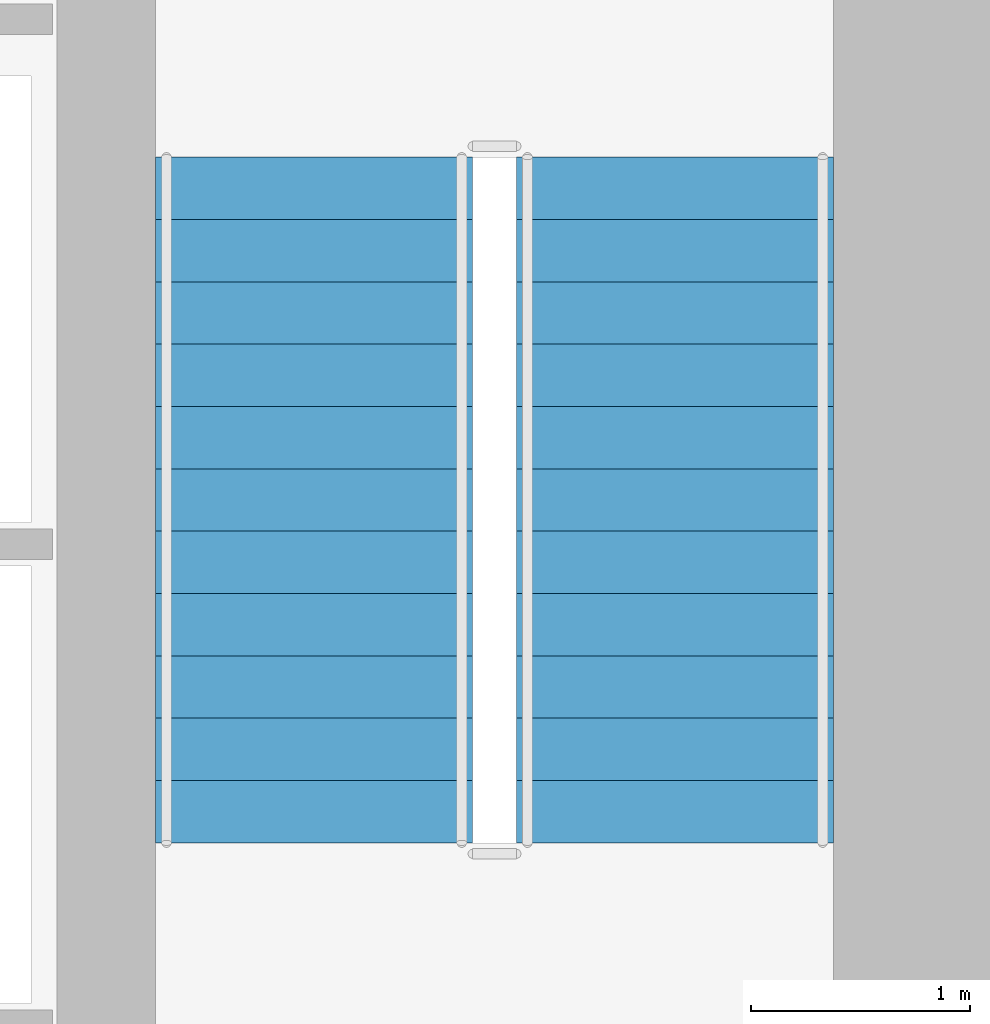
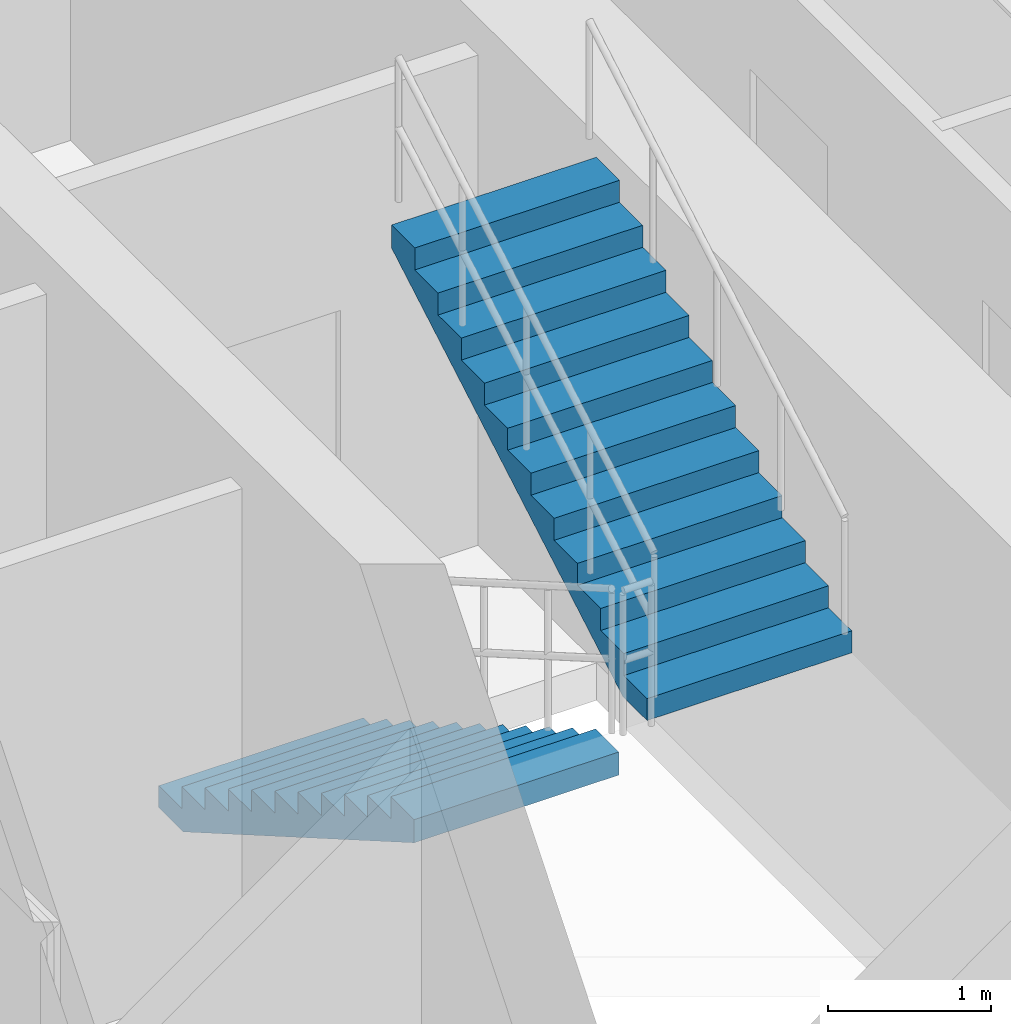
# One storey, part 28 of 30: 2 stair flights, 1 element without a shape of its own.
"""IFC4 building model written with IfcOpenShell, lengths in metres."""

from ifc_helpers import new_model, si_unit, direction, frame, origin, place, context, subcontext, project, spatial, polyline, outline, extrude, material, type_object, element, aggregate, save


model = new_model("IFC4")

# Units and contexts
model_context = context("Model", 3, precision=1e-05, world=origin(), true_north=direction((0.0, 1.0)))
body_context = subcontext(model_context, "Body", "Model", "MODEL_VIEW")
ifc_project = project(units=[si_unit("LENGTHUNIT", "METRE"), si_unit("AREAUNIT", "SQUARE_METRE"), si_unit("VOLUMEUNIT", "CUBIC_METRE"), si_unit("PLANEANGLEUNIT", "RADIAN"), si_unit("MASSUNIT", "GRAM", prefix="KILO")], contexts=[model_context])

# Site, building, storey
site_placement = place(None, origin())
site = spatial("IfcSite", under=ifc_project, at=site_placement, CompositionType="ELEMENT")
building_placement = place(site_placement, origin())
building = spatial("IfcBuilding", under=site, at=building_placement, Name="Krantzveldt Concourse Tower", CompositionType="ELEMENT")
storey_placement = place(building_placement, frame((0.0, 0.0, 52.64990234375)))
storey = spatial("IfcBuildingStorey", under=building, at=storey_placement, Name="L12", CompositionType="ELEMENT", Elevation=52.64990234375)

# Stair, stair flights
ifc_material = material(Name="Precast concrete C40/50", Category="concrete")
stair_type = type_object("IfcStairType", Name="STR-CORE-DOGLEG", PredefinedType="HALF_TURN_STAIR", material=ifc_material)
stair_placement = place(storey_placement, origin())
stair = element("IfcStair", 1, at=stair_placement, inside=storey, type_object=stair_type, Name="L12 Protected Escape Stair ST-2", PredefinedType="HALF_TURN_STAIR")
stair_flight_type = type_object("IfcStairFlightType", Name="STF-CORE-1450", PredefinedType="STRAIGHT", material=ifc_material)
stair_flight_1_placement = place(storey_placement, frame((40.7451171875, 19.550048828125, 0.0), z_axis=(0.0, 0.0, 1.0), x_axis=(0.0, -1.0, 0.0)))
stair_flight_1 = element("IfcStairFlight", 2, at=stair_flight_1_placement, type_object=stair_flight_type, Name="ST-2 flight 1", NumberOfRisers=12, NumberOfTreads=11, PredefinedType="STRAIGHT", RiserHeight=0.164583333, TreadLength=0.285, context=body_context, shape_type="SweptSolid", body=[
    extrude(outline(polyline([(0.0, 0.0), (0.0, 0.16455078125), (0.284912109375, 0.16455078125), (0.284912109375, 0.3291015625), (0.570068359375, 0.3291015625), (0.570068359375, 0.49365234375), (0.85498046875, 0.49365234375), (0.85498046875, 0.658447265625), (1.139892578125, 0.658447265625), (1.139892578125, 0.822998046875), (1.425048828125, 0.822998046875), (1.425048828125, 0.987548828125), (1.7099609375, 0.987548828125), (1.7099609375, 1.152099609375), (1.9951171875, 1.152099609375), (1.9951171875, 1.316650390625), (2.280029296875, 1.316650390625), (2.280029296875, 1.481201171875), (2.56494140625, 1.481201171875), (2.56494140625, 1.645751953125), (2.85009765625, 1.645751953125), (2.85009765625, 1.810302734375), (3.135009765625, 1.810302734375), (3.135009765625, 1.97509765625), (3.135009765625, 1.63720703125), (0.2998046875, 0.0), (0.0, 0.0)])), frame((0.0, 0.72509765625, 0.0), z_axis=(0.0, -1.0, 0.0), x_axis=(1.0, 0.0, 0.0)), (0.0, 0.0, 1.0), 1.449951171875),
])
stair_flight_2_placement = place(storey_placement, frame((42.39501953125, 16.4150390625, 1.97509765625), z_axis=(0.0, 0.0, 1.0), x_axis=(0.0, 1.0, 0.0)))
stair_flight_2 = element("IfcStairFlight", 3, at=stair_flight_2_placement, type_object=stair_flight_type, Name="ST-2 flight 2", NumberOfRisers=12, NumberOfTreads=11, PredefinedType="STRAIGHT", RiserHeight=0.164583333, TreadLength=0.285, context=body_context, shape_type="SweptSolid", body=[
    extrude(outline(polyline([(0.0, 0.0), (0.0, 0.16455078125), (0.284912109375, 0.16455078125), (0.284912109375, 0.3291015625), (0.570068359375, 0.3291015625), (0.570068359375, 0.49365234375), (0.85498046875, 0.49365234375), (0.85498046875, 0.658447265625), (1.139892578125, 0.658447265625), (1.139892578125, 0.822998046875), (1.425048828125, 0.822998046875), (1.425048828125, 0.987548828125), (1.7099609375, 0.987548828125), (1.7099609375, 1.152099609375), (1.9951171875, 1.152099609375), (1.9951171875, 1.316650390625), (2.280029296875, 1.316650390625), (2.280029296875, 1.481201171875), (2.56494140625, 1.481201171875), (2.56494140625, 1.645751953125), (2.85009765625, 1.645751953125), (2.85009765625, 1.810302734375), (3.135009765625, 1.810302734375), (3.135009765625, 1.97509765625), (3.135009765625, 1.63720703125), (0.2998046875, 0.0), (0.0, 0.0)])), frame((0.0, 0.72509765625, 0.0), z_axis=(0.0, -1.0, 0.0), x_axis=(1.0, 0.0, 0.0)), (0.0, 0.0, 1.0), 1.449951171875),
])
aggregate(stair, [stair_flight_1, stair_flight_2])

save(model, "model.ifc")
